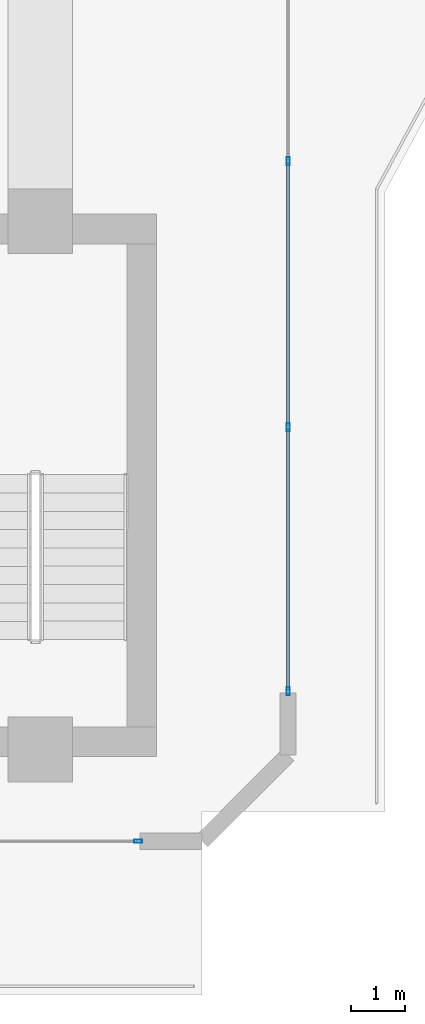
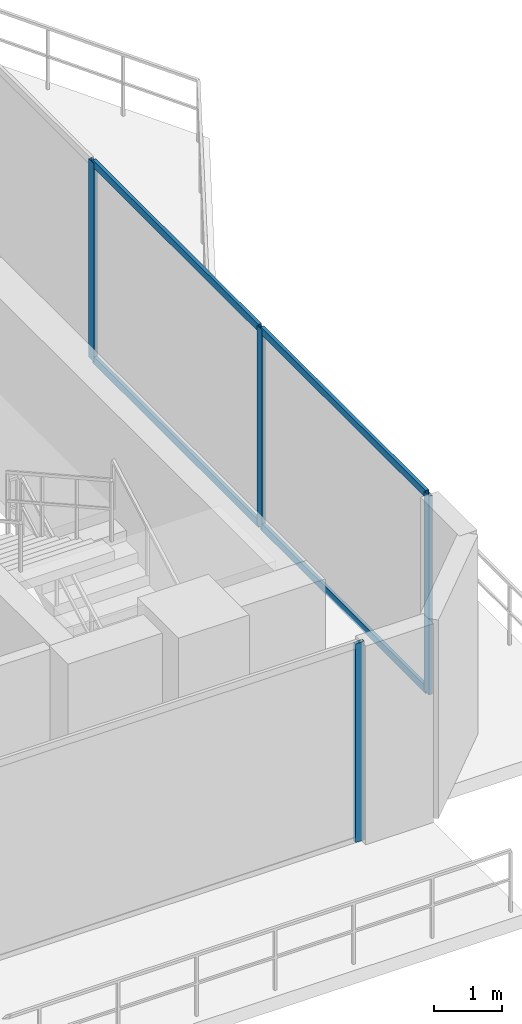
# One storey, part 12 of 27: 8 members, 2 elements without a shape of their own.
"""IFC4 building model written with IfcOpenShell, lengths in metres."""

from ifc_helpers import new_model, si_unit, direction, frame, origin, origin_2d, place, context, subcontext, project, spatial, hollow_rectangle, extrude, material, layer, layer_set, material_profile, profile_set, type_object, element, aggregate, save


model = new_model("IFC4")

# Units and contexts
model_context = context("Model", 3, precision=1e-05, world=origin(), true_north=direction((0.0, 1.0)))
body_context = subcontext(model_context, "Body", "Model", "MODEL_VIEW")
ifc_project = project(units=[si_unit("LENGTHUNIT", "METRE"), si_unit("AREAUNIT", "SQUARE_METRE"), si_unit("VOLUMEUNIT", "CUBIC_METRE"), si_unit("PLANEANGLEUNIT", "RADIAN"), si_unit("MASSUNIT", "GRAM", prefix="KILO")], contexts=[model_context])

# Site, building, storey
site_placement = place(None, origin())
site = spatial("IfcSite", under=ifc_project, at=site_placement, CompositionType="ELEMENT")
building_placement = place(site_placement, origin())
building = spatial("IfcBuilding", under=site, at=building_placement, Name="Zuhayl Quay Hotel", CompositionType="ELEMENT")
storey_placement = place(building_placement, frame((0.0, 0.0, 297.25)))
storey = spatial("IfcBuildingStorey", under=building, at=storey_placement, Name="Crown 1", CompositionType="ELEMENT", Elevation=297.25)

# Curtain wall, members
ifc_material_1 = material(Name="Anodised Aluminium 6063-T6", Category="aluminium")
ifc_layer = layer(ifc_material_1, 0.159912109375, Name="Anodised Aluminium 6063-T6", Category="aluminium")
ifc_layer_set = layer_set([ifc_layer], Name="Anodised Aluminium 6063-T6")
curtain_wall_type = type_object("IfcCurtainWallType", Name="CW_SYS_CRN", PredefinedType="USERDEFINED", material=ifc_layer_set)
curtain_wall_1_placement = place(storey_placement, origin())
curtain_wall_1 = element("IfcCurtainWall", 1, at=curtain_wall_1_placement, inside=storey, type_object=curtain_wall_type, Name="Crown 1 Curtain Wall ENV_CR1_E5_CW2", ObjectType="UNITISED CURTAIN WALL", PredefinedType="USERDEFINED")
ifc_material_2 = material(Name="Black-anodised aluminium 6063-T6", Category="aluminium")
ifc_material_profile_1 = material_profile(ifc_material_2, hollow_rectangle(XDim=0.06005859375, YDim=0.14990234375, WallThickness=0.00341796875, at=origin_2d()), Name="ALU150X60")
ifc_profile_set_1 = profile_set([ifc_material_profile_1], Name="Black-anodised aluminium 6063-T6")
member_type_1 = type_object("IfcMemberType", Name="MB_CW_MUL_150", PredefinedType="MULLION", material=ifc_profile_set_1)
member_1_placement = place(storey_placement, frame((18.39990234375, 15.46240234375, 0.0), z_axis=(0.0, 0.0, 1.0), x_axis=(1.0, 0.0, 0.0)))
member_1 = element("IfcMember", 2, at=member_1_placement, type_object=member_type_1, Name="CW-CRN mullion 3", PredefinedType="MULLION", context=body_context, shape_type="SweptSolid", body=[
    extrude(hollow_rectangle(XDim=0.06005859375, YDim=0.14990234375, WallThickness=0.00341796875, at=origin_2d()), origin(), (0.0, 0.0, 1.0), 3.56005859375),
])
member_2_placement = place(storey_placement, frame((18.39990234375, 10.53125, 0.0), z_axis=(0.0, 0.0, 1.0), x_axis=(1.0, 0.0, 0.0)))
member_2 = element("IfcMember", 3, at=member_2_placement, type_object=member_type_1, Name="CW-CRN mullion 4", PredefinedType="MULLION", context=body_context, shape_type="SweptSolid", body=[
    extrude(hollow_rectangle(XDim=0.06005859375, YDim=0.14990234375, WallThickness=0.00341796875, at=origin_2d()), origin(), (0.0, 0.0, 1.0), 3.56005859375),
])
member_3_placement = place(storey_placement, frame((18.39990234375, 5.6298828125, 0.0), z_axis=(0.0, 0.0, 1.0), x_axis=(1.0, 0.0, 0.0)))
member_3 = element("IfcMember", 4, at=member_3_placement, type_object=member_type_1, Name="CW-CRN mullion 5", PredefinedType="MULLION", context=body_context, shape_type="SweptSolid", body=[
    extrude(hollow_rectangle(XDim=0.06005859375, YDim=0.14990234375, WallThickness=0.00341796875, at=origin_2d()), origin(), (0.0, 0.0, 1.0), 3.56005859375),
])

# Curtain wall, member
curtain_wall_2_placement = place(storey_placement, origin())
curtain_wall_2 = element("IfcCurtainWall", 5, at=curtain_wall_2_placement, inside=storey, type_object=curtain_wall_type, Name="Crown 1 Curtain Wall ENV_CR1_E7_CW1", ObjectType="UNITISED CURTAIN WALL", PredefinedType="USERDEFINED")
member_4_placement = place(storey_placement, frame((15.6201171875, 2.85009765625, 0.0), z_axis=(0.0, 0.0, 1.0), x_axis=(0.0, -1.0, 0.0)))
member_4 = element("IfcMember", 6, at=member_4_placement, type_object=member_type_1, Name="CW-CRN mullion 1", PredefinedType="MULLION", context=body_context, shape_type="SweptSolid", body=[
    extrude(hollow_rectangle(XDim=0.06005859375, YDim=0.14990234375, WallThickness=0.00341796875, at=origin_2d()), origin(), (0.0, 0.0, 1.0), 3.56005859375),
])
aggregate(curtain_wall_2, [member_4])

# Member
ifc_material_profile_2 = material_profile(ifc_material_2, hollow_rectangle(XDim=0.054931640625, YDim=0.1298828125, WallThickness=0.0029296875, at=origin_2d()), Name="ALU130X55")
ifc_profile_set_2 = profile_set([ifc_material_profile_2], Name="Black-anodised aluminium 6063-T6")
member_type_2 = type_object("IfcMemberType", Name="MB_CW_TRN_130", PredefinedType="USERDEFINED", material=ifc_profile_set_2)
member_5_placement = place(storey_placement, frame((18.39990234375, 15.4326171875, 0.027587890625), z_axis=(0.0, -1.0, 0.0), x_axis=(1.0, 0.0, 0.0)))
member_5 = element("IfcMember", 7, at=member_5_placement, type_object=member_type_2, Name="CW-CRN transom 3.1", ObjectType="TRANSOM", PredefinedType="USERDEFINED", context=body_context, shape_type="SweptSolid", body=[
    extrude(hollow_rectangle(XDim=0.054931640625, YDim=0.1298828125, WallThickness=0.0029296875, at=origin_2d()), origin(), (0.0, 0.0, 1.0), 4.871337890625),
])

member_6_placement = place(storey_placement, frame((18.39990234375, 15.4326171875, 3.532470703125), z_axis=(0.0, -1.0, 0.0), x_axis=(1.0, 0.0, 0.0)))
member_6 = element("IfcMember", 8, at=member_6_placement, type_object=member_type_2, Name="CW-CRN transom 3.2", ObjectType="TRANSOM", PredefinedType="USERDEFINED", context=body_context, shape_type="SweptSolid", body=[
    extrude(hollow_rectangle(XDim=0.054931640625, YDim=0.1298828125, WallThickness=0.0029296875, at=origin_2d()), origin(), (0.0, 0.0, 1.0), 4.871337890625),
])

member_7_placement = place(storey_placement, frame((18.39990234375, 10.501220703125, 0.027587890625), z_axis=(0.0, -1.0, 0.0), x_axis=(1.0, 0.0, 0.0)))
member_7 = element("IfcMember", 9, at=member_7_placement, type_object=member_type_2, Name="CW-CRN transom 4.1", ObjectType="TRANSOM", PredefinedType="USERDEFINED", context=body_context, shape_type="SweptSolid", body=[
    extrude(hollow_rectangle(XDim=0.054931640625, YDim=0.1298828125, WallThickness=0.0029296875, at=origin_2d()), origin(), (0.0, 0.0, 1.0), 4.84130859375),
])

member_8_placement = place(storey_placement, frame((18.39990234375, 10.501220703125, 3.532470703125), z_axis=(0.0, -1.0, 0.0), x_axis=(1.0, 0.0, 0.0)))
member_8 = element("IfcMember", 10, at=member_8_placement, type_object=member_type_2, Name="CW-CRN transom 4.2", ObjectType="TRANSOM", PredefinedType="USERDEFINED", context=body_context, shape_type="SweptSolid", body=[
    extrude(hollow_rectangle(XDim=0.054931640625, YDim=0.1298828125, WallThickness=0.0029296875, at=origin_2d()), origin(), (0.0, 0.0, 1.0), 4.84130859375),
])

aggregate(curtain_wall_1, [member_1, member_2, member_3, member_5, member_6, member_7, member_8])

save(model, "model.ifc")
